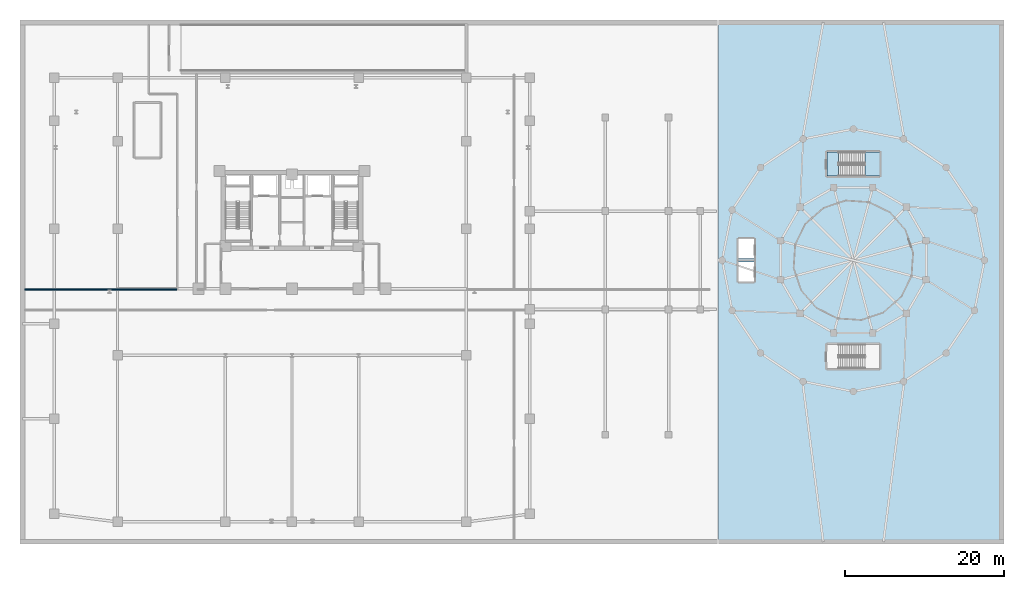
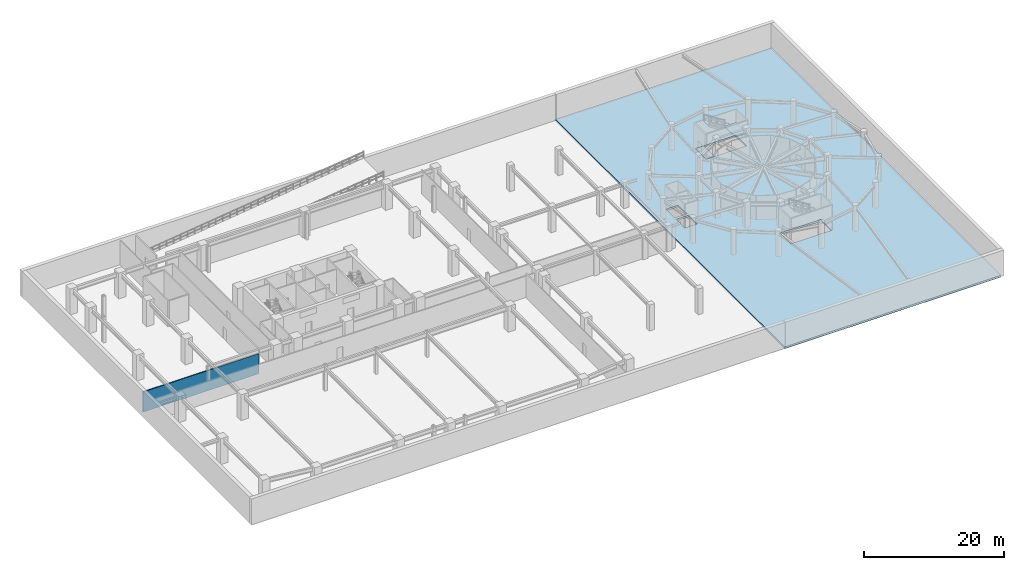
# One storey, part 4 of 15: 3 slabs, 1 wall, 1 element without a shape of its own.
"""IFC4 building model written with IfcOpenShell, lengths in metres."""

from ifc_helpers import new_model, si_unit, derived_unit, direction, frame, frame_2d, origin, place, context, subcontext, project, spatial, polyline, rectangle, outline, extrude, material, layer, layer_set, type_object, element, aggregate, save


model = new_model("IFC4")

# Units and contexts
model_context = context("Model", 3, precision=1e-05, world=origin(), true_north=direction((0.0, 1.0)))
body_context = subcontext(model_context, "Body", "Model", "MODEL_VIEW")
ifc_project = project(units=[si_unit("LENGTHUNIT", "METRE"), si_unit("AREAUNIT", "SQUARE_METRE"), si_unit("VOLUMEUNIT", "CUBIC_METRE"), si_unit("PLANEANGLEUNIT", "RADIAN"), si_unit("MASSUNIT", "GRAM", prefix="KILO"), derived_unit("THERMALTRANSMITTANCEUNIT", [(si_unit("POWERUNIT", "WATT"), 1), (si_unit("LENGTHUNIT", "METRE"), -2), (si_unit("THERMODYNAMICTEMPERATUREUNIT", "KELVIN"), -1)])], contexts=[model_context])

# Site, building, storey
site_placement = place(None, origin())
site = spatial("IfcSite", under=ifc_project, at=site_placement, CompositionType="ELEMENT")
building_placement = place(site_placement, origin())
building = spatial("IfcBuilding", under=site, at=building_placement, Name="Korsvarv Bourse and Concert Hall", CompositionType="ELEMENT")
storey_placement = place(building_placement, frame((0.0, 0.0, -4.5)))
storey = spatial("IfcBuildingStorey", under=building, at=storey_placement, Name="B01", CompositionType="ELEMENT", Elevation=-4.5)

# Slabs
ifc_material_1 = material(Name="Concrete C45/55", Category="concrete")
ifc_layer_1 = layer(ifc_material_1, 0.320068359375)
ifc_layer_set_1 = layer_set([ifc_layer_1], Name="Concrete C45/55")
slab_type_1 = type_object("IfcSlabType", Name="SLB-B01", PredefinedType="FLOOR", material=ifc_layer_set_1)
slab_1_placement = place(storey_placement, frame((0.0, 0.0, -0.320068359375)))
element("IfcSlab", 1, at=slab_1_placement, inside=storey, type_object=slab_type_1, Name="B01 Concert Hall basement structural slab S-B01", PredefinedType="FLOOR", context=body_context, shape_type="SweptSolid", body=[
    extrude(outline(polyline([(89.800048828125, 0.5), (125.5, 0.5), (125.5, 66.0), (89.800048828125, 66.0), (89.800048828125, 0.5)]), holes=[polyline([(103.449951171875, 46.60009765625), (110.14990234375, 46.60009765625), (110.14990234375, 49.659912109375), (103.449951171875, 49.659912109375), (103.449951171875, 46.60009765625)]), polyline([(103.449951171875, 22.340087890625), (110.14990234375, 22.340087890625), (110.14990234375, 25.39990234375), (103.449951171875, 25.39990234375), (103.449951171875, 22.340087890625)]), polyline([(92.320068359375, 36.219970703125), (94.280029296875, 36.219970703125), (94.280029296875, 38.679931640625), (92.320068359375, 38.679931640625), (92.320068359375, 36.219970703125)]), polyline([(92.320068359375, 33.320068359375), (94.280029296875, 33.320068359375), (94.280029296875, 35.780029296875), (92.320068359375, 35.780029296875), (92.320068359375, 33.320068359375)])]), origin(), (0.0, 0.0, 1.0), 0.320068359375),
])
ifc_material_2 = material(Name="Precast concrete C45/55", Category="concrete")
ifc_layer_2 = layer(ifc_material_2, 0.199951171875)
ifc_layer_set_2 = layer_set([ifc_layer_2], Name="Precast concrete C45/55")
slab_type_2 = type_object("IfcSlabType", Name="SLB-FLND-T", PredefinedType="LANDING", material=ifc_layer_set_2)
slab_2_placement = place(storey_placement, frame((0.0, 0.0, -0.199951171875)))
element("IfcSlab", 2, at=slab_2_placement, inside=storey, type_object=slab_type_2, Name="B01 Stair ST-CH1 Floor Landing Slab", PredefinedType="LANDING", context=body_context, shape_type="SweptSolid", body=[
    extrude(outline(polyline([(103.449951171875, 46.60009765625), (104.89990234375, 46.60009765625), (104.89990234375, 49.659912109375), (103.449951171875, 49.659912109375), (103.449951171875, 46.60009765625)])), origin(), (0.0, 0.0, 1.0), 0.199951171875),
])

# Stair, slab
stair_type = type_object("IfcStairType", Name="STR-TYPE-06", PredefinedType="HALF_TURN_STAIR", material=ifc_material_2)
stair_placement = place(storey_placement, origin())
stair = element("IfcStair", 3, at=stair_placement, inside=storey, type_object=stair_type, Name="B01 Concert Hall North Exit Stair ST-CH1", PredefinedType="HALF_TURN_STAIR")
ifc_layer_3 = layer(ifc_material_2, 0.199951171875)
ifc_layer_set_3 = layer_set([ifc_layer_3], Name="Precast concrete C45/55")
slab_type_3 = type_object("IfcSlabType", Name="SLB-ST-LND", PredefinedType="LANDING", material=ifc_layer_set_3)
slab_3_placement = place(storey_placement, frame((0.0, 0.0, 2.050048828125)))
slab_3 = element("IfcSlab", 4, at=slab_3_placement, type_object=slab_type_3, Name="ST-CH1 landing 1", PredefinedType="LANDING", context=body_context, shape_type="SweptSolid", body=[
    extrude(outline(polyline([(108.260009765625, 46.60009765625), (110.14990234375, 46.60009765625), (110.14990234375, 49.659912109375), (108.260009765625, 49.659912109375), (108.260009765625, 46.60009765625)])), origin(), (0.0, 0.0, 1.0), 0.199951171875),
])
aggregate(stair, [slab_3])

# Wall
ifc_material_3 = material(Name="Double-stud fire-rated acoustic partition", Category="gypsum")
ifc_layer_4 = layer(ifc_material_3, 0.159912109375)
ifc_layer_set_4 = layer_set([ifc_layer_4], Name="Double-stud fire-rated acoustic partition")
wall_type = type_object("IfcWallType", Name="WL-INT-EI60", PredefinedType="PARTITIONING", material=ifc_layer_set_4)
wall_placement = place(storey_placement, frame((2.302001953125, 32.324951171875, 0.0), z_axis=(0.0, 0.0, 1.0), x_axis=(1.0, 0.0, 0.0)))
element("IfcWall", 5, at=wall_placement, inside=storey, type_object=wall_type, Name="B01 interior partition wall W-B01-BCOR-05", PredefinedType="PARTITIONING", context=body_context, shape_type="SweptSolid", body=[
    extrude(rectangle(XDim=19.14111328125, YDim=0.159912109375, at=frame_2d((9.570556640625, 0.0))), origin(), (0.0, 0.0, 1.0), 3.52001953125),
])

save(model, "model.ifc")
